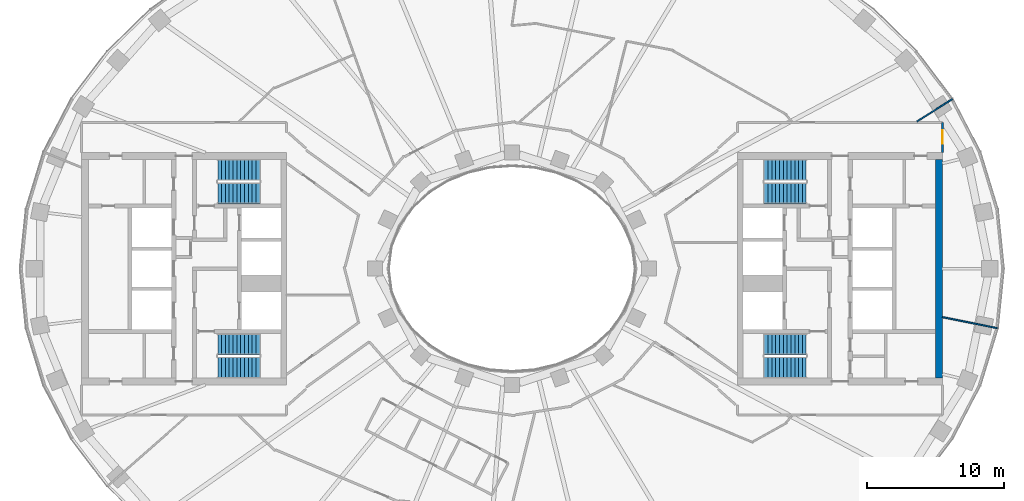
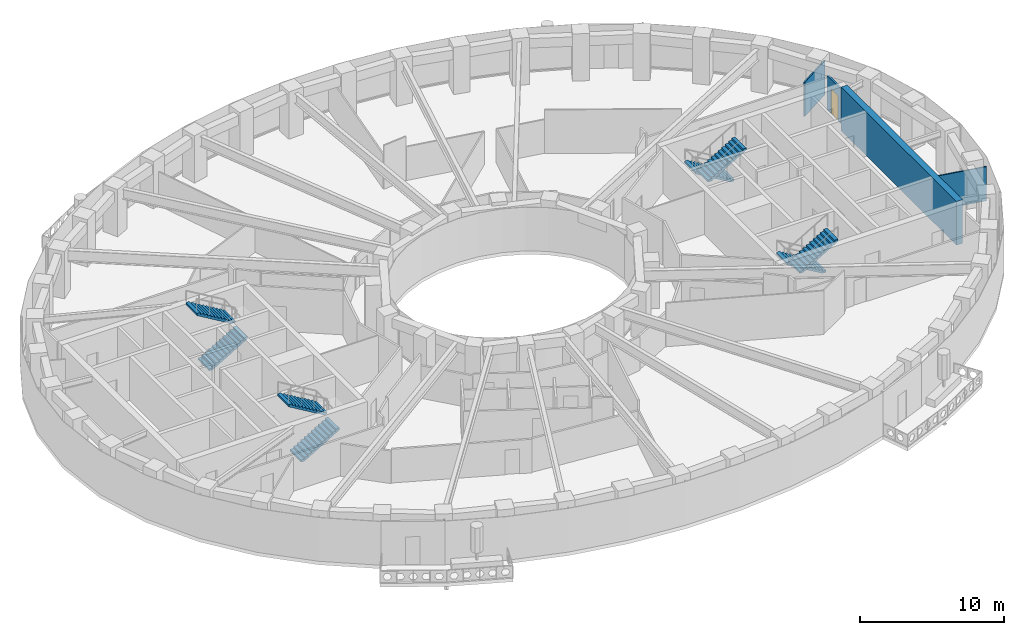
# One storey, part 7 of 15: 8 stair flights, 4 walls, 1 door, 1 opening, 4 elements without a shape of their own.
"""IFC4 building model written with IfcOpenShell, lengths in metres."""

from ifc_helpers import new_model, si_unit, direction, frame, frame_2d, origin, place, context, subcontext, project, spatial, polyline, rectangle, outline, extrude, material, layer, layer_set, type_object, element, fill, aggregate, save


model = new_model("IFC4")

# Units and contexts
model_context = context("Model", 3, precision=1e-05, world=origin(), true_north=direction((0.0, 1.0)))
body_context = subcontext(model_context, "Body", "Model", "MODEL_VIEW")
ifc_project = project(units=[si_unit("LENGTHUNIT", "METRE"), si_unit("AREAUNIT", "SQUARE_METRE"), si_unit("VOLUMEUNIT", "CUBIC_METRE"), si_unit("PLANEANGLEUNIT", "RADIAN"), si_unit("MASSUNIT", "GRAM", prefix="KILO")], contexts=[model_context])

# Site, building, storey
site_placement = place(None, origin())
site = spatial("IfcSite", under=ifc_project, at=site_placement, CompositionType="ELEMENT")
building_placement = place(site_placement, origin())
building = spatial("IfcBuilding", under=site, at=building_placement, Name="Noorbagh Ring Tower", CompositionType="ELEMENT")
storey_placement = place(building_placement, frame((0.0, 0.0, 170.0)))
storey = spatial("IfcBuildingStorey", under=building, at=storey_placement, Name="L39", CompositionType="ELEMENT", Elevation=170.0)

# Wall
ifc_material_1 = material(Name="Concrete C60/75", Category="concrete")
ifc_layer_1 = layer(ifc_material_1, 0.5)
ifc_layer_set_1 = layer_set([ifc_layer_1], Name="Concrete C60/75")
wall_type_1 = type_object("IfcWallType", Name="CORE-WALL-500-C60-75-EI240", PredefinedType="SHEAR", material=ifc_layer_set_1)
wall_1_placement = place(storey_placement, frame((31.25, -8.0, 0.0), z_axis=(0.0, 0.0, 1.0), x_axis=(0.0, 1.0, 0.0)))
element("IfcWall", 1, at=wall_1_placement, inside=storey, type_object=wall_type_1, Name="Core wall E", PredefinedType="SHEAR", context=body_context, shape_type="SweptSolid", body=[
    extrude(rectangle(XDim=16.0, YDim=0.5, at=frame_2d((8.0, 0.0))), origin(), (0.0, 0.0, 1.0), 3.699951171875),
])

# Wall, opening, door
ifc_material_2 = material(Name="Gypsum board on steel studs", Category="steel")
ifc_layer_2 = layer(ifc_material_2, 0.14990234375)
ifc_layer_set_2 = layer_set([ifc_layer_2], Name="Gypsum board on steel studs")
wall_type_2 = type_object("IfcWallType", Name="CORRIDOR PARTITION 150 EI 30", PredefinedType="PARTITIONING", material=ifc_layer_set_2)
wall_2_placement = place(storey_placement, frame((31.5, 8.5, 0.0), z_axis=(0.0, 0.0, 1.0), x_axis=(0.0, 1.0, 0.0)))
wall_2 = element("IfcWall", 2, at=wall_2_placement, inside=storey, type_object=wall_type_2, Name="L39/wall/P70", PredefinedType="PARTITIONING", context=body_context, shape_type="SweptSolid", body=[
    extrude(rectangle(XDim=2.199951171875, YDim=0.14990234375, at=frame_2d((1.10009765625, 0.0))), origin(), (0.0, 0.0, 1.0), 2.89990234375),
])
opening_placement = place(wall_2_placement, frame((0.64990234375, 0.0, 0.0)))
opening = element("IfcOpeningElement", 3, at=opening_placement, cuts=wall_2, Name="Opening D1", PredefinedType="OPENING", context=body_context, shape_type="SweptSolid", body=[
    extrude(rectangle(XDim=1.0, YDim=2.10009765625, at=frame_2d((0.5, 1.050048828125))), frame((0.0, 0.0849609375, 0.0), z_axis=(0.0, -1.0, 0.0), x_axis=(1.0, 0.0, 0.0)), (0.0, 0.0, 1.0), 0.169921875),
])
ifc_material_3 = material(Name="Timber, painted", Category="wood")
door_type = type_object("IfcDoorType", Name="DOOR 1000 X 2100 FD30", OperationType="SINGLE_SWING_LEFT", PredefinedType="DOOR", material=ifc_material_3)
door_placement = place(opening_placement, origin())
door = element("IfcDoor", 4, at=door_placement, inside=storey, type_object=door_type, Name="L39-D15", OperationType="SINGLE_SWING_LEFT", OverallHeight=2.10009765625, OverallWidth=1.0, PredefinedType="DOOR", context=body_context, shape_type="SweptSolid", body=[
    extrude(rectangle(XDim=1.0, YDim=2.10009765625, at=frame_2d((0.5, 1.050048828125))), frame((0.0, 0.02490234375, 0.0), z_axis=(0.0, -1.0, 0.0), x_axis=(1.0, 0.0, 0.0)), (0.0, 0.0, 1.0), 0.050048828125),
])
fill(opening, door)

# Walls
ifc_material_4 = material(Name="Gypsum board on steel studs", Category="steel")
ifc_layer_3 = layer(ifc_material_4, 0.10009765625)
ifc_layer_set_3 = layer_set([ifc_layer_3], Name="Gypsum board on steel studs")
wall_type_3 = type_object("IfcWallType", Name="PARTITION 100 GYPSUM", PredefinedType="PARTITIONING", material=ifc_layer_set_3)
wall_3_placement = place(storey_placement, frame((29.636962890625, 10.777099609375, 0.0), z_axis=(0.0, 0.0, 1.0), x_axis=(0.844810627195, 0.535065420467, 0.0)))
element("IfcWall", 5, at=wall_3_placement, inside=storey, type_object=wall_type_3, Name="L39/wall/P67", PredefinedType="PARTITIONING", context=body_context, shape_type="SweptSolid", body=[
    extrude(rectangle(XDim=3.0478515625, YDim=0.10009765625, at=frame_2d((1.52392578125, 0.0))), origin(), (0.0, 0.0, 1.0), 2.89990234375),
])
wall_4_placement = place(storey_placement, frame((31.5, -3.5419921875, 0.0), z_axis=(0.0, 0.0, 1.0), x_axis=(0.980357474535, -0.197228857227, 0.0)))
element("IfcWall", 6, at=wall_4_placement, inside=storey, type_object=wall_type_3, Name="L39/wall/P69", PredefinedType="PARTITIONING", context=body_context, shape_type="SweptSolid", body=[
    extrude(rectangle(XDim=4.09228515625, YDim=0.10009765625, at=frame_2d((2.046142578125, 0.0))), origin(), (0.0, 0.0, 1.0), 2.89990234375),
])

# Stair, stair flights
ifc_material_5 = material(Name="Concrete C40/50", Category="concrete")
stair_type = type_object("IfcStairType", Name="CORE-STAIR", PredefinedType="HALF_TURN_STAIR", material=ifc_material_5)
stair_1_placement = place(storey_placement, origin())
stair_1 = element("IfcStair", 7, at=stair_1_placement, inside=storey, type_object=stair_type, Name="L39 Exit stair ST1", PredefinedType="HALF_TURN_STAIR")
ifc_material_6 = material(Name="Concrete C40/50", Category="concrete")
stair_flight_type = type_object("IfcStairFlightType", Name="CORE-STAIR-FLIGHT", PredefinedType="STRAIGHT", material=ifc_material_6)
stair_flight_1_placement = place(storey_placement, frame((-21.530029296875, 5.52490234375, 0.0), z_axis=(0.0, 0.0, 1.0), x_axis=(1.0, 0.0, 0.0)))
stair_flight_1 = element("IfcStairFlight", 8, at=stair_flight_1_placement, type_object=stair_flight_type, Name="ST1 flight 1", NumberOfRisers=12, NumberOfTreads=11, PredefinedType="STRAIGHT", RiserHeight=0.166666667, TreadLength=0.28, context=body_context, shape_type="SweptSolid", body=[
    extrude(outline(polyline([(0.0, 0.0), (0.0, 0.166748046875), (0.280029296875, 0.166748046875), (0.280029296875, 0.333251953125), (0.56005859375, 0.333251953125), (0.56005859375, 0.5), (0.840087890625, 0.5), (0.840087890625, 0.666748046875), (1.1201171875, 0.666748046875), (1.1201171875, 0.833251953125), (1.39990234375, 0.833251953125), (1.39990234375, 1.0), (1.679931640625, 1.0), (1.679931640625, 1.166748046875), (1.9599609375, 1.166748046875), (1.9599609375, 1.333251953125), (2.239990234375, 1.333251953125), (2.239990234375, 1.5), (2.52001953125, 1.5), (2.52001953125, 1.666748046875), (2.800048828125, 1.666748046875), (2.800048828125, 1.833251953125), (3.080078125, 1.833251953125), (3.080078125, 2.0), (3.080078125, 1.658935546875), (0.29296875, 0.0), (0.0, 0.0)])), frame((0.0, 0.77490234375, 0.0), z_axis=(0.0, -1.0, 0.0), x_axis=(1.0, 0.0, 0.0)), (0.0, 0.0, 1.0), 1.550048828125),
])
stair_flight_2_placement = place(storey_placement, frame((-18.449951171875, 7.22509765625, 2.0), z_axis=(0.0, 0.0, 1.0), x_axis=(-1.0, 0.0, 0.0)))
stair_flight_2 = element("IfcStairFlight", 9, at=stair_flight_2_placement, type_object=stair_flight_type, Name="ST1 flight 2", NumberOfRisers=12, NumberOfTreads=11, PredefinedType="STRAIGHT", RiserHeight=0.166666667, TreadLength=0.28, context=body_context, shape_type="SweptSolid", body=[
    extrude(outline(polyline([(0.0, 0.0), (0.0, 0.166748046875), (0.280029296875, 0.166748046875), (0.280029296875, 0.333251953125), (0.56005859375, 0.333251953125), (0.56005859375, 0.5), (0.840087890625, 0.5), (0.840087890625, 0.666748046875), (1.1201171875, 0.666748046875), (1.1201171875, 0.833251953125), (1.39990234375, 0.833251953125), (1.39990234375, 1.0), (1.679931640625, 1.0), (1.679931640625, 1.166748046875), (1.9599609375, 1.166748046875), (1.9599609375, 1.333251953125), (2.239990234375, 1.333251953125), (2.239990234375, 1.5), (2.52001953125, 1.5), (2.52001953125, 1.666748046875), (2.800048828125, 1.666748046875), (2.800048828125, 1.833251953125), (3.080078125, 1.833251953125), (3.080078125, 2.0), (3.080078125, 1.658935546875), (0.29296875, 0.0), (0.0, 0.0)])), frame((0.0, 0.77490234375, 0.0), z_axis=(0.0, -1.0, 0.0), x_axis=(1.0, 0.0, 0.0)), (0.0, 0.0, 1.0), 1.550048828125),
])
aggregate(stair_1, [stair_flight_1, stair_flight_2])

stair_2_placement = place(storey_placement, origin())
stair_2 = element("IfcStair", 10, at=stair_2_placement, inside=storey, type_object=stair_type, Name="L39 Exit stair ST2", PredefinedType="HALF_TURN_STAIR")
stair_flight_3_placement = place(storey_placement, frame((-21.530029296875, -7.22509765625, 0.0), z_axis=(0.0, 0.0, 1.0), x_axis=(1.0, 0.0, 0.0)))
stair_flight_3 = element("IfcStairFlight", 11, at=stair_flight_3_placement, type_object=stair_flight_type, Name="ST2 flight 1", NumberOfRisers=12, NumberOfTreads=11, PredefinedType="STRAIGHT", RiserHeight=0.166666667, TreadLength=0.28, context=body_context, shape_type="SweptSolid", body=[
    extrude(outline(polyline([(0.0, 0.0), (0.0, 0.166748046875), (0.280029296875, 0.166748046875), (0.280029296875, 0.333251953125), (0.56005859375, 0.333251953125), (0.56005859375, 0.5), (0.840087890625, 0.5), (0.840087890625, 0.666748046875), (1.1201171875, 0.666748046875), (1.1201171875, 0.833251953125), (1.39990234375, 0.833251953125), (1.39990234375, 1.0), (1.679931640625, 1.0), (1.679931640625, 1.166748046875), (1.9599609375, 1.166748046875), (1.9599609375, 1.333251953125), (2.239990234375, 1.333251953125), (2.239990234375, 1.5), (2.52001953125, 1.5), (2.52001953125, 1.666748046875), (2.800048828125, 1.666748046875), (2.800048828125, 1.833251953125), (3.080078125, 1.833251953125), (3.080078125, 2.0), (3.080078125, 1.658935546875), (0.29296875, 0.0), (0.0, 0.0)])), frame((0.0, 0.77490234375, 0.0), z_axis=(0.0, -1.0, 0.0), x_axis=(1.0, 0.0, 0.0)), (0.0, 0.0, 1.0), 1.550048828125),
])
stair_flight_4_placement = place(storey_placement, frame((-18.449951171875, -5.52490234375, 2.0), z_axis=(0.0, 0.0, 1.0), x_axis=(-1.0, 0.0, 0.0)))
stair_flight_4 = element("IfcStairFlight", 12, at=stair_flight_4_placement, type_object=stair_flight_type, Name="ST2 flight 2", NumberOfRisers=12, NumberOfTreads=11, PredefinedType="STRAIGHT", RiserHeight=0.166666667, TreadLength=0.28, context=body_context, shape_type="SweptSolid", body=[
    extrude(outline(polyline([(0.0, 0.0), (0.0, 0.166748046875), (0.280029296875, 0.166748046875), (0.280029296875, 0.333251953125), (0.56005859375, 0.333251953125), (0.56005859375, 0.5), (0.840087890625, 0.5), (0.840087890625, 0.666748046875), (1.1201171875, 0.666748046875), (1.1201171875, 0.833251953125), (1.39990234375, 0.833251953125), (1.39990234375, 1.0), (1.679931640625, 1.0), (1.679931640625, 1.166748046875), (1.9599609375, 1.166748046875), (1.9599609375, 1.333251953125), (2.239990234375, 1.333251953125), (2.239990234375, 1.5), (2.52001953125, 1.5), (2.52001953125, 1.666748046875), (2.800048828125, 1.666748046875), (2.800048828125, 1.833251953125), (3.080078125, 1.833251953125), (3.080078125, 2.0), (3.080078125, 1.658935546875), (0.29296875, 0.0), (0.0, 0.0)])), frame((0.0, 0.77490234375, 0.0), z_axis=(0.0, -1.0, 0.0), x_axis=(1.0, 0.0, 0.0)), (0.0, 0.0, 1.0), 1.550048828125),
])
aggregate(stair_2, [stair_flight_3, stair_flight_4])

stair_3_placement = place(storey_placement, origin())
stair_3 = element("IfcStair", 13, at=stair_3_placement, inside=storey, type_object=stair_type, Name="L39 Exit stair ST3", PredefinedType="HALF_TURN_STAIR")
stair_flight_5_placement = place(storey_placement, frame((21.530029296875, 7.22509765625, 0.0), z_axis=(0.0, 0.0, 1.0), x_axis=(-1.0, 0.0, 0.0)))
stair_flight_5 = element("IfcStairFlight", 14, at=stair_flight_5_placement, type_object=stair_flight_type, Name="ST3 flight 1", NumberOfRisers=12, NumberOfTreads=11, PredefinedType="STRAIGHT", RiserHeight=0.166666667, TreadLength=0.28, context=body_context, shape_type="SweptSolid", body=[
    extrude(outline(polyline([(0.0, 0.0), (0.0, 0.166748046875), (0.280029296875, 0.166748046875), (0.280029296875, 0.333251953125), (0.56005859375, 0.333251953125), (0.56005859375, 0.5), (0.840087890625, 0.5), (0.840087890625, 0.666748046875), (1.1201171875, 0.666748046875), (1.1201171875, 0.833251953125), (1.39990234375, 0.833251953125), (1.39990234375, 1.0), (1.679931640625, 1.0), (1.679931640625, 1.166748046875), (1.9599609375, 1.166748046875), (1.9599609375, 1.333251953125), (2.239990234375, 1.333251953125), (2.239990234375, 1.5), (2.52001953125, 1.5), (2.52001953125, 1.666748046875), (2.800048828125, 1.666748046875), (2.800048828125, 1.833251953125), (3.080078125, 1.833251953125), (3.080078125, 2.0), (3.080078125, 1.658935546875), (0.29296875, 0.0), (0.0, 0.0)])), frame((0.0, 0.77490234375, 0.0), z_axis=(0.0, -1.0, 0.0), x_axis=(1.0, 0.0, 0.0)), (0.0, 0.0, 1.0), 1.550048828125),
])
stair_flight_6_placement = place(storey_placement, frame((18.449951171875, 5.52490234375, 2.0), z_axis=(0.0, 0.0, 1.0), x_axis=(1.0, 0.0, 0.0)))
stair_flight_6 = element("IfcStairFlight", 15, at=stair_flight_6_placement, type_object=stair_flight_type, Name="ST3 flight 2", NumberOfRisers=12, NumberOfTreads=11, PredefinedType="STRAIGHT", RiserHeight=0.166666667, TreadLength=0.28, context=body_context, shape_type="SweptSolid", body=[
    extrude(outline(polyline([(0.0, 0.0), (0.0, 0.166748046875), (0.280029296875, 0.166748046875), (0.280029296875, 0.333251953125), (0.56005859375, 0.333251953125), (0.56005859375, 0.5), (0.840087890625, 0.5), (0.840087890625, 0.666748046875), (1.1201171875, 0.666748046875), (1.1201171875, 0.833251953125), (1.39990234375, 0.833251953125), (1.39990234375, 1.0), (1.679931640625, 1.0), (1.679931640625, 1.166748046875), (1.9599609375, 1.166748046875), (1.9599609375, 1.333251953125), (2.239990234375, 1.333251953125), (2.239990234375, 1.5), (2.52001953125, 1.5), (2.52001953125, 1.666748046875), (2.800048828125, 1.666748046875), (2.800048828125, 1.833251953125), (3.080078125, 1.833251953125), (3.080078125, 2.0), (3.080078125, 1.658935546875), (0.29296875, 0.0), (0.0, 0.0)])), frame((0.0, 0.77490234375, 0.0), z_axis=(0.0, -1.0, 0.0), x_axis=(1.0, 0.0, 0.0)), (0.0, 0.0, 1.0), 1.550048828125),
])
aggregate(stair_3, [stair_flight_5, stair_flight_6])

stair_4_placement = place(storey_placement, origin())
stair_4 = element("IfcStair", 16, at=stair_4_placement, inside=storey, type_object=stair_type, Name="L39 Exit stair ST4", PredefinedType="HALF_TURN_STAIR")
stair_flight_7_placement = place(storey_placement, frame((21.530029296875, -5.52490234375, 0.0), z_axis=(0.0, 0.0, 1.0), x_axis=(-1.0, 0.0, 0.0)))
stair_flight_7 = element("IfcStairFlight", 17, at=stair_flight_7_placement, type_object=stair_flight_type, Name="ST4 flight 1", NumberOfRisers=12, NumberOfTreads=11, PredefinedType="STRAIGHT", RiserHeight=0.166666667, TreadLength=0.28, context=body_context, shape_type="SweptSolid", body=[
    extrude(outline(polyline([(0.0, 0.0), (0.0, 0.166748046875), (0.280029296875, 0.166748046875), (0.280029296875, 0.333251953125), (0.56005859375, 0.333251953125), (0.56005859375, 0.5), (0.840087890625, 0.5), (0.840087890625, 0.666748046875), (1.1201171875, 0.666748046875), (1.1201171875, 0.833251953125), (1.39990234375, 0.833251953125), (1.39990234375, 1.0), (1.679931640625, 1.0), (1.679931640625, 1.166748046875), (1.9599609375, 1.166748046875), (1.9599609375, 1.333251953125), (2.239990234375, 1.333251953125), (2.239990234375, 1.5), (2.52001953125, 1.5), (2.52001953125, 1.666748046875), (2.800048828125, 1.666748046875), (2.800048828125, 1.833251953125), (3.080078125, 1.833251953125), (3.080078125, 2.0), (3.080078125, 1.658935546875), (0.29296875, 0.0), (0.0, 0.0)])), frame((0.0, 0.77490234375, 0.0), z_axis=(0.0, -1.0, 0.0), x_axis=(1.0, 0.0, 0.0)), (0.0, 0.0, 1.0), 1.550048828125),
])
stair_flight_8_placement = place(storey_placement, frame((18.449951171875, -7.22509765625, 2.0), z_axis=(0.0, 0.0, 1.0), x_axis=(1.0, 0.0, 0.0)))
stair_flight_8 = element("IfcStairFlight", 18, at=stair_flight_8_placement, type_object=stair_flight_type, Name="ST4 flight 2", NumberOfRisers=12, NumberOfTreads=11, PredefinedType="STRAIGHT", RiserHeight=0.166666667, TreadLength=0.28, context=body_context, shape_type="SweptSolid", body=[
    extrude(outline(polyline([(0.0, 0.0), (0.0, 0.166748046875), (0.280029296875, 0.166748046875), (0.280029296875, 0.333251953125), (0.56005859375, 0.333251953125), (0.56005859375, 0.5), (0.840087890625, 0.5), (0.840087890625, 0.666748046875), (1.1201171875, 0.666748046875), (1.1201171875, 0.833251953125), (1.39990234375, 0.833251953125), (1.39990234375, 1.0), (1.679931640625, 1.0), (1.679931640625, 1.166748046875), (1.9599609375, 1.166748046875), (1.9599609375, 1.333251953125), (2.239990234375, 1.333251953125), (2.239990234375, 1.5), (2.52001953125, 1.5), (2.52001953125, 1.666748046875), (2.800048828125, 1.666748046875), (2.800048828125, 1.833251953125), (3.080078125, 1.833251953125), (3.080078125, 2.0), (3.080078125, 1.658935546875), (0.29296875, 0.0), (0.0, 0.0)])), frame((0.0, 0.77490234375, 0.0), z_axis=(0.0, -1.0, 0.0), x_axis=(1.0, 0.0, 0.0)), (0.0, 0.0, 1.0), 1.550048828125),
])
aggregate(stair_4, [stair_flight_7, stair_flight_8])

save(model, "model.ifc")
